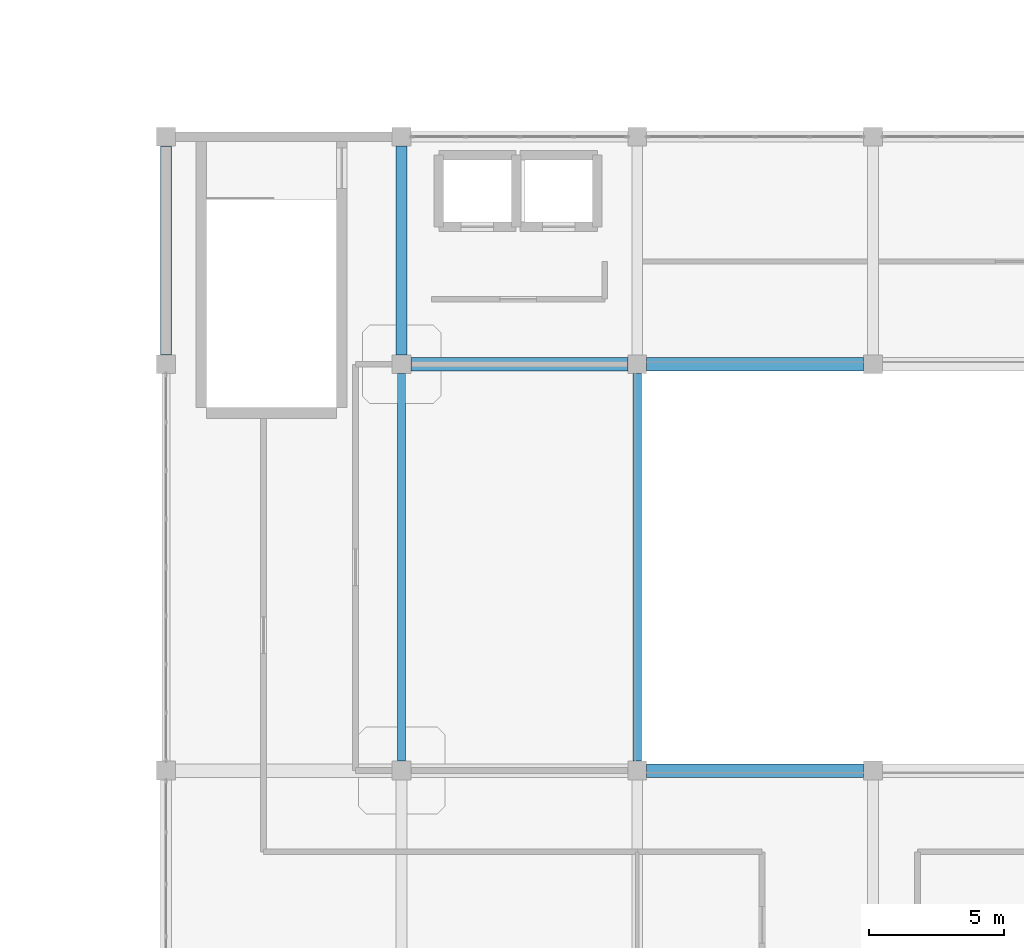
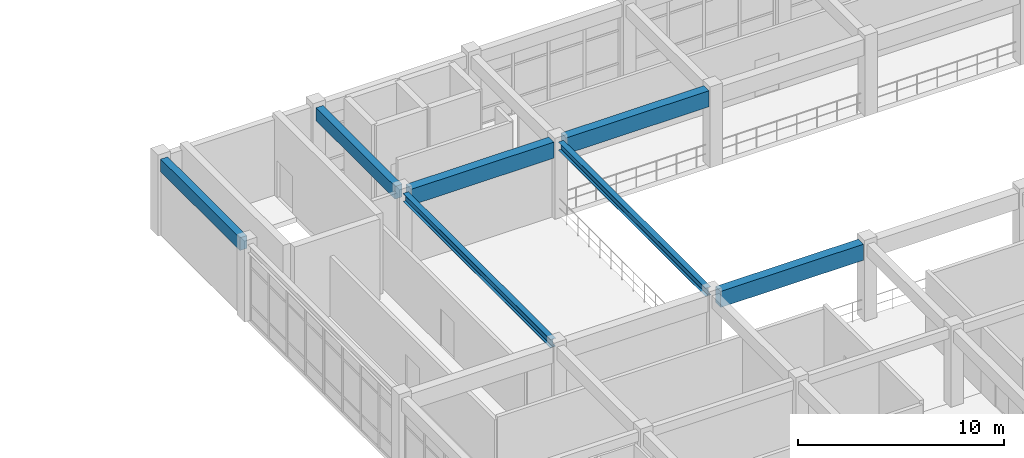
# One storey, part 21 of 64: 7 beams.
"""IFC4 building model written with IfcOpenShell, lengths in metres."""

from ifc_helpers import new_model, si_unit, derived_unit, direction, frame, origin, origin_2d, place, context, subcontext, project, spatial, rectangle, i_section, extrude, material, material_profile, profile_set, type_object, element, save


model = new_model("IFC4")

# Units and contexts
model_context = context("Model", 3, precision=1e-05, world=origin(), true_north=direction((0.0, 1.0)))
body_context = subcontext(model_context, "Body", "Model", "MODEL_VIEW")
ifc_project = project(units=[si_unit("LENGTHUNIT", "METRE"), si_unit("AREAUNIT", "SQUARE_METRE"), si_unit("VOLUMEUNIT", "CUBIC_METRE"), si_unit("PLANEANGLEUNIT", "RADIAN"), si_unit("MASSUNIT", "GRAM", prefix="KILO"), derived_unit("THERMALTRANSMITTANCEUNIT", [(si_unit("MASSUNIT", "GRAM", prefix="KILO"), 1), (si_unit("TIMEUNIT", "SECOND"), -3), (si_unit("THERMODYNAMICTEMPERATUREUNIT", "KELVIN"), -1)])], contexts=[model_context])

# Site, building, storey
site_placement = place(None, origin())
site = spatial("IfcSite", under=ifc_project, at=site_placement, CompositionType="ELEMENT")
building_placement = place(site_placement, origin())
building = spatial("IfcBuilding", under=site, at=building_placement, Name="Qinzheling Arcade Emporium", CompositionType="ELEMENT")
storey_placement = place(building_placement, frame((0.0, 0.0, 31.5)))
storey = spatial("IfcBuildingStorey", under=building, at=storey_placement, Name="L07", CompositionType="ELEMENT", Elevation=31.5)

# Beams
ifc_material_1 = material(Name="Structural steel Q355B", Category="steel")
ifc_material_profile_1 = material_profile(ifc_material_1, i_section(OverallWidth=0.300048828125, OverallDepth=0.488037109375, WebThickness=0.010986328125, FlangeThickness=0.01806640625, FilletRadius=0.02197265625, at=origin_2d()), Name="HM 488x300x11x18", Category="steel")
ifc_profile_set_1 = profile_set([ifc_material_profile_1], Name="Structural steel Q355B")
beam_type_1 = type_object("IfcBeamType", Name="Atrium Bridge Girder HM488 Q355B", PredefinedType="USERDEFINED", material=ifc_profile_set_1)
for number, where, z_axis, x_axis, name in (
    (1, (43.5, 50.75, 4.27587890625), (0.0, 1.0, 0.0), (-1.0, 0.0, 0.0), "Beam BM-L07-Y-6-G"),
    (2, (52.199951171875, 50.75, 4.27587890625), (0.0, 1.0, 0.0), (-1.0, 0.0, 0.0), "Beam BM-L07-Y-7-G"),
):
    element("IfcBeam", number, at=place(storey_placement, frame(where, z_axis=z_axis, x_axis=x_axis)), inside=storey, type_object=beam_type_1, Name=name, ObjectType="TRANSFER_GIRDER", PredefinedType="USERDEFINED", context=body_context, shape_type="SweptSolid", body=[
        extrude(i_section(OverallWidth=0.300048828125, OverallDepth=0.488037109375, WebThickness=0.010986328125, FlangeThickness=0.01806640625, FilletRadius=0.02197265625, at=origin_2d()), origin(), (0.0, 0.0, 1.0), 14.300048828125),
    ])
ifc_material_2 = material(Name="Concrete C40", Category="concrete")
ifc_material_profile_2 = material_profile(ifc_material_2, rectangle(XDim=0.39990234375, YDim=0.75, at=origin_2d()), Name="RC 400x750", Category="concrete")
ifc_profile_set_2 = profile_set([ifc_material_profile_2], Name="Concrete C40")
beam_type_2 = type_object("IfcBeamType", Name="RC Interior Tie Beam 400x750 C40", PredefinedType="BEAM", material=ifc_profile_set_2)
for number, where, z_axis, x_axis, name in (
    (3, (34.800048828125, 65.75, 4.14501953125), (0.0, 1.0, 0.0), (-1.0, 0.0, 0.0), "Beam BM-L07-Y-5-H"),
    (4, (43.5, 65.75, 4.14501953125), (0.0, 1.0, 0.0), (-1.0, 0.0, 0.0), "Beam BM-L07-Y-6-H"),
):
    element("IfcBeam", number, at=place(storey_placement, frame(where, z_axis=z_axis, x_axis=x_axis)), inside=storey, type_object=beam_type_2, Name=name, PredefinedType="BEAM", context=body_context, shape_type="SweptSolid", body=[
        extrude(rectangle(XDim=0.39990234375, YDim=0.75, at=origin_2d()), origin(), (0.0, 0.0, 1.0), 7.699951171875),
    ])
ifc_material_profile_3 = material_profile(ifc_material_2, rectangle(XDim=0.5, YDim=0.949951171875, at=origin_2d()), Name="RC 500x950", Category="concrete")
ifc_profile_set_3 = profile_set([ifc_material_profile_3], Name="Concrete C40")
beam_type_3 = type_object("IfcBeamType", Name="RC Vault Ring Beam 500x950 C40", PredefinedType="BEAM", material=ifc_profile_set_3)
for number, where, z_axis, x_axis, name in (
    (5, (52.550048828125, 50.39990234375, 4.044921875), (1.0, 0.0, 0.0), (0.0, 1.0, 0.0), "Beam BM-L07-X-G-7"),
    (6, (43.85009765625, 65.39990234375, 4.044921875), (1.0, 0.0, 0.0), (0.0, 1.0, 0.0), "Beam BM-L07-X-H-6"),
    (7, (52.550048828125, 65.39990234375, 4.044921875), (1.0, 0.0, 0.0), (0.0, 1.0, 0.0), "Beam BM-L07-X-H-7"),
):
    element("IfcBeam", number, at=place(storey_placement, frame(where, z_axis=z_axis, x_axis=x_axis)), inside=storey, type_object=beam_type_3, Name=name, PredefinedType="BEAM", context=body_context, shape_type="SweptSolid", body=[
        extrude(rectangle(XDim=0.5, YDim=0.949951171875, at=origin_2d()), origin(), (0.0, 0.0, 1.0), 8.0),
    ])

save(model, "model.ifc")
